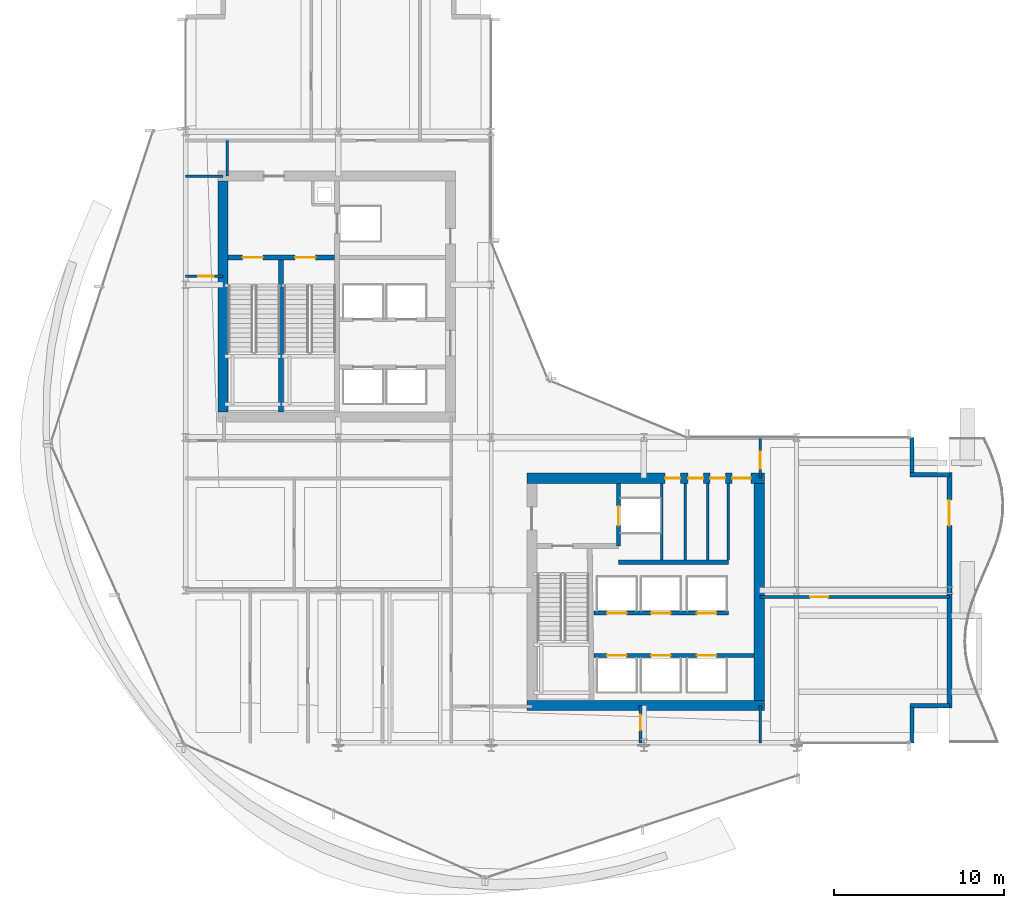
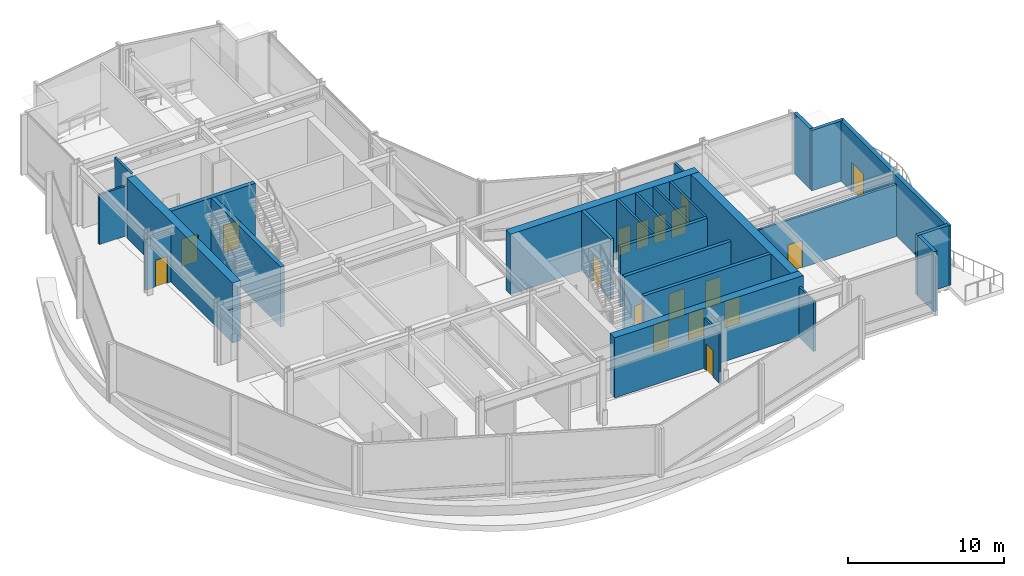
# One storey, part 25 of 33: 26 walls, 18 doors, 18 openings.
"""IFC4 building model written with IfcOpenShell, lengths in metres."""

from ifc_helpers import new_model, si_unit, direction, frame, frame_2d, origin, place, context, subcontext, project, spatial, rectangle, extrude, material, layer, layer_set, type_object, element, fill, save


model = new_model("IFC4")

# Units and contexts
model_context = context("Model", 3, precision=1e-05, world=origin(), true_north=direction((0.0, 1.0)))
body_context = subcontext(model_context, "Body", "Model", "MODEL_VIEW")
ifc_project = project(units=[si_unit("LENGTHUNIT", "METRE"), si_unit("AREAUNIT", "SQUARE_METRE"), si_unit("VOLUMEUNIT", "CUBIC_METRE"), si_unit("PLANEANGLEUNIT", "RADIAN"), si_unit("MASSUNIT", "GRAM", prefix="KILO")], contexts=[model_context])

# Site, building, storey
site_placement = place(None, origin())
site = spatial("IfcSite", under=ifc_project, at=site_placement, CompositionType="ELEMENT")
building_placement = place(site_placement, origin())
building = spatial("IfcBuilding", under=site, at=building_placement, Name="Solvaryn Broadcast Tower", CompositionType="ELEMENT")
storey_placement = place(building_placement, frame((0.0, 0.0, 105.0)))
storey = spatial("IfcBuildingStorey", under=building, at=storey_placement, Name="L25", CompositionType="ELEMENT", Elevation=105.0)

# Walls
ifc_material_1 = material(Name="Concrete f'c 70 MPa", Category="concrete")
ifc_layer_1 = layer(ifc_material_1, 0.60009765625)
ifc_layer_set_1 = layer_set([ifc_layer_1], Name="CW-SHEAR-600")
wall_type_1 = type_object("IfcWallType", Name="CW-SHEAR-600", PredefinedType="SHEAR", material=ifc_layer_set_1)
wall_1_placement = place(storey_placement, frame((11.199951171875, 42.10009765625, 0.0), z_axis=(0.0, 0.0, 1.0), x_axis=(0.0, -1.0, 0.0)))
element("IfcWall", 1, at=wall_1_placement, inside=storey, type_object=wall_type_1, Name="L25 West Core West Shear Wall", PredefinedType="SHEAR", context=body_context, shape_type="SweptSolid", body=[
    extrude(rectangle(XDim=13.60009765625, YDim=0.60009765625, at=frame_2d((6.800048828125, 0.0))), origin(), (0.0, 0.0, 1.0), 4.719970703125),
])
wall_2_placement = place(storey_placement, frame((29.10009765625, 11.199951171875, 0.0), z_axis=(0.0, 0.0, 1.0), x_axis=(1.0, 0.0, 0.0)))
element("IfcWall", 2, at=wall_2_placement, inside=storey, type_object=wall_type_1, Name="L25 East Core South Shear Wall", PredefinedType="SHEAR", context=body_context, shape_type="SweptSolid", body=[
    extrude(rectangle(XDim=14.0, YDim=0.60009765625, at=frame_2d((7.0, 0.0))), origin(), (0.0, 0.0, 1.0), 4.719970703125),
])

# Wall, openings, doors
wall_3_placement = place(storey_placement, frame((43.10009765625, 24.60009765625, 0.0), z_axis=(0.0, 0.0, 1.0), x_axis=(-1.0, 0.0, 0.0)))
wall_3 = element("IfcWall", 3, at=wall_3_placement, inside=storey, type_object=wall_type_1, Name="L25 East Core North Shear Wall", PredefinedType="SHEAR", context=body_context, shape_type="SweptSolid", body=[
    extrude(rectangle(XDim=14.0, YDim=0.60009765625, at=frame_2d((7.0, 0.0))), origin(), (0.0, 0.0, 1.0), 4.719970703125),
])
opening_1_placement = place(wall_3_placement, frame((0.800048828125, 0.0, 0.0)))
opening_1 = element("IfcOpeningElement", 4, at=opening_1_placement, cuts=wall_3, Name="Opening FD90C", PredefinedType="OPENING", context=body_context, shape_type="SweptSolid", body=[
    extrude(rectangle(XDim=1.10009765625, YDim=2.14990234375, at=frame_2d((0.550048828125, 1.074951171875))), frame((0.0, 0.31005859375, 0.0), z_axis=(0.0, -1.0, 0.0), x_axis=(1.0, 0.0, 0.0)), (0.0, 0.0, 1.0), 0.6201171875),
])
opening_2_placement = place(wall_3_placement, frame((2.300048828125, 0.0, 0.0)))
opening_2 = element("IfcOpeningElement", 5, at=opening_2_placement, cuts=wall_3, Name="Opening FD60C", PredefinedType="OPENING", context=body_context, shape_type="SweptSolid", body=[
    extrude(rectangle(XDim=0.89990234375, YDim=2.10009765625, at=frame_2d((0.449951171875, 1.050048828125))), frame((0.0, 0.31005859375, 0.0), z_axis=(0.0, -1.0, 0.0), x_axis=(1.0, 0.0, 0.0)), (0.0, 0.0, 1.0), 0.6201171875),
])
opening_3_placement = place(wall_3_placement, frame((3.60009765625, 0.0, 0.0)))
opening_3 = element("IfcOpeningElement", 6, at=opening_3_placement, cuts=wall_3, Name="Opening FD60C", PredefinedType="OPENING", context=body_context, shape_type="SweptSolid", body=[
    extrude(rectangle(XDim=0.89990234375, YDim=2.10009765625, at=frame_2d((0.449951171875, 1.050048828125))), frame((0.0, 0.31005859375, 0.0), z_axis=(0.0, -1.0, 0.0), x_axis=(1.0, 0.0, 0.0)), (0.0, 0.0, 1.0), 0.6201171875),
])
opening_4_placement = place(wall_3_placement, frame((4.949951171875, 0.0, 0.0)))
opening_4 = element("IfcOpeningElement", 7, at=opening_4_placement, cuts=wall_3, Name="Opening FD60C", PredefinedType="OPENING", context=body_context, shape_type="SweptSolid", body=[
    extrude(rectangle(XDim=0.89990234375, YDim=2.10009765625, at=frame_2d((0.449951171875, 1.050048828125))), frame((0.0, 0.31005859375, 0.0), z_axis=(0.0, -1.0, 0.0), x_axis=(1.0, 0.0, 0.0)), (0.0, 0.0, 1.0), 0.6201171875),
])
ifc_material_2 = material(Name="Flush Acoustic Steel and Timber Door Assembly", Category="steel")
door_type_1 = type_object("IfcDoorType", Name="FD60-SERV-900X2100", OperationType="NOTDEFINED", PredefinedType="DOOR", material=ifc_material_2)
door_1_placement = place(opening_2_placement, origin())
door_1 = element("IfcDoor", 8, at=door_1_placement, inside=storey, type_object=door_type_1, Name="L25 Core Wellness Room Door", OperationType="SINGLE_SWING_RIGHT", OverallHeight=2.10009765625, OverallWidth=0.89990234375, PredefinedType="DOOR", context=body_context, shape_type="SweptSolid", body=[
    extrude(rectangle(XDim=0.89990234375, YDim=2.10009765625, at=frame_2d((0.449951171875, 1.050048828125))), frame((0.0, 0.02490234375, 0.0), z_axis=(0.0, -1.0, 0.0), x_axis=(1.0, 0.0, 0.0)), (0.0, 0.0, 1.0), 0.050048828125),
])
fill(opening_2, door_1)
door_2_placement = place(opening_3_placement, origin())
door_2 = element("IfcDoor", 9, at=door_2_placement, inside=storey, type_object=door_type_1, Name="L25 Staff Restroom Door", OperationType="SINGLE_SWING_LEFT", OverallHeight=2.10009765625, OverallWidth=0.89990234375, PredefinedType="DOOR", context=body_context, shape_type="SweptSolid", body=[
    extrude(rectangle(XDim=0.89990234375, YDim=2.10009765625, at=frame_2d((0.449951171875, 1.050048828125))), frame((0.0, 0.02490234375, 0.0), z_axis=(0.0, -1.0, 0.0), x_axis=(1.0, 0.0, 0.0)), (0.0, 0.0, 1.0), 0.050048828125),
])
fill(opening_3, door_2)
door_3_placement = place(opening_4_placement, origin())
door_3 = element("IfcDoor", 10, at=door_3_placement, inside=storey, type_object=door_type_1, Name="L25 Accessible WC Door", OperationType="SINGLE_SWING_RIGHT", OverallHeight=2.10009765625, OverallWidth=0.89990234375, PredefinedType="DOOR", context=body_context, shape_type="SweptSolid", body=[
    extrude(rectangle(XDim=0.89990234375, YDim=2.10009765625, at=frame_2d((0.449951171875, 1.050048828125))), frame((0.0, 0.02490234375, 0.0), z_axis=(0.0, -1.0, 0.0), x_axis=(1.0, 0.0, 0.0)), (0.0, 0.0, 1.0), 0.050048828125),
])
fill(opening_4, door_3)
ifc_material_3 = material(Name="Flush Acoustic Steel and Timber Door Assembly", Category="steel")
door_type_2 = type_object("IfcDoorType", Name="FD90-PLANT-1100X2150", OperationType="NOTDEFINED", PredefinedType="DOOR", material=ifc_material_3)
door_4_placement = place(opening_1_placement, origin())
door_4 = element("IfcDoor", 11, at=door_4_placement, inside=storey, type_object=door_type_2, Name="L25 East Core Lobby Corridor Door", OperationType="SINGLE_SWING_LEFT", OverallHeight=2.14990234375, OverallWidth=1.10009765625, PredefinedType="DOOR", context=body_context, shape_type="SweptSolid", body=[
    extrude(rectangle(XDim=1.10009765625, YDim=2.14990234375, at=frame_2d((0.550048828125, 1.074951171875))), frame((0.0, 0.02490234375, 0.0), z_axis=(0.0, -1.0, 0.0), x_axis=(1.0, 0.0, 0.0)), (0.0, 0.0, 1.0), 0.050048828125),
])
fill(opening_1, door_4)

# Walls
wall_4_placement = place(storey_placement, frame((42.800048828125, 11.5, 0.0), z_axis=(0.0, 0.0, 1.0), x_axis=(0.0, 1.0, 0.0)))
element("IfcWall", 12, at=wall_4_placement, inside=storey, type_object=wall_type_1, Name="L25 East Core East Shear Wall", PredefinedType="SHEAR", context=body_context, shape_type="SweptSolid", body=[
    extrude(rectangle(XDim=12.800048828125, YDim=0.60009765625, at=frame_2d((6.39990234375, 0.0))), origin(), (0.0, 0.0, 1.0), 4.719970703125),
])
ifc_material_4 = material(Name="Concrete f'c 50 MPa", Category="concrete")
ifc_layer_2 = layer(ifc_material_4, 0.260009765625)
ifc_layer_set_2 = layer_set([ifc_layer_2], Name="EW-PIER-260")
wall_type_2 = type_object("IfcWallType", Name="EW-PIER-260", PredefinedType="SOLIDWALL", material=ifc_layer_set_2)
wall_5_placement = place(storey_placement, frame((51.800048828125, 9.0, 0.0), z_axis=(0.0, 0.0, 1.0), x_axis=(0.0, 1.0, 0.0)))
element("IfcWall", 13, at=wall_5_placement, inside=storey, type_object=wall_type_2, Name="L25 Notched Corner Pier Wall NSE1", PredefinedType="SOLIDWALL", context=body_context, shape_type="SweptSolid", body=[
    extrude(rectangle(XDim=2.080078125, YDim=0.260009765625, at=frame_2d((1.0400390625, 0.0))), origin(), (0.0, 0.0, 1.0), 4.719970703125),
])
for number, where, z_axis, x_axis, name in (
    (14, (51.679931640625, 11.199951171875, 0.0), (0.0, 0.0, 1.0), (1.0, 0.0, 0.0), "L25 Notched Corner Pier Wall NSE2"),
    (15, (54.0, 24.800048828125, 0.0), (0.0, 0.0, 1.0), (-1.0, 0.0, 0.0), "L25 Notched Corner Pier Wall NEE1"),
):
    element("IfcWall", number, at=place(storey_placement, frame(where, z_axis=z_axis, x_axis=x_axis)), inside=storey, type_object=wall_type_2, Name=name, PredefinedType="SOLIDWALL", context=body_context, shape_type="SweptSolid", body=[
        extrude(rectangle(XDim=2.320068359375, YDim=0.260009765625, at=frame_2d((1.16015625, 0.0))), origin(), (0.0, 0.0, 1.0), 4.719970703125),
    ])
wall_6_placement = place(storey_placement, frame((51.800048828125, 24.919921875, 0.0), z_axis=(0.0, 0.0, 1.0), x_axis=(0.0, 1.0, 0.0)))
element("IfcWall", 16, at=wall_6_placement, inside=storey, type_object=wall_type_2, Name="L25 Notched Corner Pier Wall NEE2", PredefinedType="SOLIDWALL", context=body_context, shape_type="SweptSolid", body=[
    extrude(rectangle(XDim=2.080078125, YDim=0.260009765625, at=frame_2d((1.0400390625, 0.0))), origin(), (0.0, 0.0, 1.0), 4.719970703125),
])

# Wall, opening, door
ifc_material_5 = material(Name="Concrete f'c 50 MPa", Category="concrete")
ifc_layer_3 = layer(ifc_material_5, 0.300048828125)
ifc_layer_set_3 = layer_set([ifc_layer_3], Name="EW-TER-300")
wall_type_3 = type_object("IfcWallType", Name="EW-TER-300", PredefinedType="SOLIDWALL", material=ifc_layer_set_3)
wall_7_placement = place(storey_placement, frame((54.0, 24.929931640625, 0.0), z_axis=(0.0, 0.0, 1.0), x_axis=(0.0, -1.0, 0.0)))
wall_7 = element("IfcWall", 17, at=wall_7_placement, inside=storey, type_object=wall_type_3, Name="L25 East Sky-Garden Wall", PredefinedType="SOLIDWALL", context=body_context, shape_type="SweptSolid", body=[
    extrude(rectangle(XDim=13.85986328125, YDim=0.300048828125, at=frame_2d((6.929931640625, 0.0))), origin(), (0.0, 0.0, 1.0), 4.719970703125),
])
opening_5_placement = place(wall_7_placement, frame((1.6298828125, 0.0, 0.0)))
opening_5 = element("IfcOpeningElement", 18, at=opening_5_placement, cuts=wall_7, Name="Opening EDS25", PredefinedType="OPENING", context=body_context, shape_type="SweptSolid", body=[
    extrude(rectangle(XDim=1.5, YDim=2.300048828125, at=frame_2d((0.75, 1.14990234375))), frame((0.0, 0.159912109375, 0.0), z_axis=(0.0, -1.0, 0.0), x_axis=(1.0, 0.0, 0.0)), (0.0, 0.0, 1.0), 0.320068359375),
])
ifc_material_6 = material(Name="Insulated Architectural Aluminium and Glazing", Category="aluminium")
door_type_3 = type_object("IfcDoorType", Name="ED-SKYG-1500X2300", OperationType="NOTDEFINED", PredefinedType="DOOR", material=ifc_material_6)
door_5_placement = place(opening_5_placement, origin())
door_5 = element("IfcDoor", 19, at=door_5_placement, inside=storey, type_object=door_type_3, Name="L25 East Sky-Garden Terrace Door", OperationType="SINGLE_SWING_RIGHT", OverallHeight=2.300048828125, OverallWidth=1.5, PredefinedType="DOOR", context=body_context, shape_type="SweptSolid", body=[
    extrude(rectangle(XDim=1.5, YDim=2.300048828125, at=frame_2d((0.75, 1.14990234375))), frame((0.0, 0.02490234375, 0.0), z_axis=(0.0, -1.0, 0.0), x_axis=(1.0, 0.0, 0.0)), (0.0, 0.0, 1.0), 0.050048828125),
])
fill(opening_5, door_5)

# Walls
ifc_material_7 = material(Name="Metal-Stud Service Core Partition")
ifc_layer_4 = layer(ifc_material_7, 0.14990234375)
ifc_layer_set_4 = layer_set([ifc_layer_4], Name="IW-PART-150")
wall_type_4 = type_object("IfcWallType", Name="IW-PART-150", PredefinedType="PARTITIONING", material=ifc_layer_set_4)
for number, where, z_axis, x_axis, name in (
    (20, (37.050048828125, 19.780029296875, 0.0), (0.0, 0.0, 1.0), (0.0, 1.0, 0.0), "L25 Interior Partition IW-L25-CE-FL2E"),
    (21, (38.43994140625, 19.780029296875, 0.0), (0.0, 0.0, 1.0), (0.0, 1.0, 0.0), "L25 Interior Partition IW-L25-CE-V1"),
    (22, (39.77001953125, 19.780029296875, 0.0), (0.0, 0.0, 1.0), (0.0, 1.0, 0.0), "L25 Interior Partition IW-L25-CE-V2"),
    (23, (40.97998046875, 19.780029296875, 0.0), (0.0, 0.0, 1.0), (0.0, 1.0, 0.0), "L25 Interior Partition IW-L25-CE-V3"),
):
    element("IfcWall", number, at=place(storey_placement, frame(where, z_axis=z_axis, x_axis=x_axis)), inside=storey, type_object=wall_type_4, Name=name, PredefinedType="PARTITIONING", context=body_context, shape_type="SweptSolid", body=[
        extrude(rectangle(XDim=4.52001953125, YDim=0.14990234375, at=frame_2d((2.260009765625, 0.0))), origin(), (0.0, 0.0, 1.0), 4.719970703125),
    ])

# Wall, opening, door
wall_8_placement = place(storey_placement, frame((9.0, 36.5, 0.0), z_axis=(0.0, 0.0, 1.0), x_axis=(1.0, 0.0, 0.0)))
wall_8 = element("IfcWall", 24, at=wall_8_placement, inside=storey, type_object=wall_type_4, Name="L25 Interior Partition IW-L25-WM-M", PredefinedType="PARTITIONING", context=body_context, shape_type="SweptSolid", body=[
    extrude(rectangle(XDim=2.199951171875, YDim=0.14990234375, at=frame_2d((1.10009765625, 0.0))), origin(), (0.0, 0.0, 1.0), 3.93408203125),
])
opening_6_placement = place(wall_8_placement, frame((0.75, 0.0, 0.0)))
opening_6 = element("IfcOpeningElement", 25, at=opening_6_placement, cuts=wall_8, Name="Opening FD60C", PredefinedType="OPENING", context=body_context, shape_type="SweptSolid", body=[
    extrude(rectangle(XDim=0.89990234375, YDim=2.10009765625, at=frame_2d((0.449951171875, 1.050048828125))), frame((0.0, 0.0849609375, 0.0), z_axis=(0.0, -1.0, 0.0), x_axis=(1.0, 0.0, 0.0)), (0.0, 0.0, 1.0), 0.169921875),
])
door_6_placement = place(opening_6_placement, origin())
door_6 = element("IfcDoor", 26, at=door_6_placement, inside=storey, type_object=door_type_1, Name="L25 Door DR-L25-WM1", OperationType="SINGLE_SWING_RIGHT", OverallHeight=2.10009765625, OverallWidth=0.89990234375, PredefinedType="DOOR", context=body_context, shape_type="SweptSolid", body=[
    extrude(rectangle(XDim=0.89990234375, YDim=2.10009765625, at=frame_2d((0.449951171875, 1.050048828125))), frame((0.0, 0.02490234375, 0.0), z_axis=(0.0, -1.0, 0.0), x_axis=(1.0, 0.0, 0.0)), (0.0, 0.0, 1.0), 0.050048828125),
])
fill(opening_6, door_6)

wall_9_placement = place(storey_placement, frame((35.800048828125, 9.0, 0.0), z_axis=(0.0, 0.0, 1.0), x_axis=(0.0, 1.0, 0.0)))
wall_9 = element("IfcWall", 27, at=wall_9_placement, inside=storey, type_object=wall_type_4, Name="L25 Interior Partition IW-L25-SC-V", PredefinedType="PARTITIONING", context=body_context, shape_type="SweptSolid", body=[
    extrude(rectangle(XDim=2.199951171875, YDim=0.14990234375, at=frame_2d((1.10009765625, 0.0))), origin(), (0.0, 0.0, 1.0), 3.93408203125),
])
opening_7_placement = place(wall_9_placement, frame((0.75, 0.0, 0.0)))
opening_7 = element("IfcOpeningElement", 28, at=opening_7_placement, cuts=wall_9, Name="Opening FD60C", PredefinedType="OPENING", context=body_context, shape_type="SweptSolid", body=[
    extrude(rectangle(XDim=0.89990234375, YDim=2.10009765625, at=frame_2d((0.449951171875, 1.050048828125))), frame((0.0, 0.0849609375, 0.0), z_axis=(0.0, -1.0, 0.0), x_axis=(1.0, 0.0, 0.0)), (0.0, 0.0, 1.0), 0.169921875),
])
door_7_placement = place(opening_7_placement, origin())
door_7 = element("IfcDoor", 29, at=door_7_placement, inside=storey, type_object=door_type_1, Name="L25 Door DR-L25-SC1", OperationType="SINGLE_SWING_RIGHT", OverallHeight=2.10009765625, OverallWidth=0.89990234375, PredefinedType="DOOR", context=body_context, shape_type="SweptSolid", body=[
    extrude(rectangle(XDim=0.89990234375, YDim=2.10009765625, at=frame_2d((0.449951171875, 1.050048828125))), frame((0.0, 0.02490234375, 0.0), z_axis=(0.0, -1.0, 0.0), x_axis=(1.0, 0.0, 0.0)), (0.0, 0.0, 1.0), 0.050048828125),
])
fill(opening_7, door_7)

# Walls
ifc_material_8 = material(Name="Metal-Stud Gypsum Office Partition")
ifc_layer_5 = layer(ifc_material_8, 0.159912109375)
ifc_layer_set_5 = layer_set([ifc_layer_5], Name="IW-PART-160")
wall_type_5 = type_object("IfcWallType", Name="IW-PART-160", PredefinedType="PARTITIONING", material=ifc_layer_set_5)
wall_10_placement = place(storey_placement, frame((9.0, 42.39990234375, 0.0), z_axis=(0.0, 0.0, 1.0), x_axis=(1.0, 0.0, 0.0)))
element("IfcWall", 30, at=wall_10_placement, inside=storey, type_object=wall_type_5, Name="L25 Interior Partition IW-L25-WM-N", PredefinedType="PARTITIONING", context=body_context, shape_type="SweptSolid", body=[
    extrude(rectangle(XDim=2.199951171875, YDim=0.159912109375, at=frame_2d((1.10009765625, 0.0))), origin(), (0.0, 0.0, 1.0), 3.93408203125),
])
wall_11_placement = place(storey_placement, frame((11.449951171875, 42.39990234375, 0.0), z_axis=(0.0, 0.0, 1.0), x_axis=(0.0, 1.0, 0.0)))
element("IfcWall", 31, at=wall_11_placement, inside=storey, type_object=wall_type_5, Name="L25 Interior Partition IW-L25-WM-E", PredefinedType="PARTITIONING", context=body_context, shape_type="SweptSolid", body=[
    extrude(rectangle(XDim=2.10009765625, YDim=0.159912109375, at=frame_2d((1.050048828125, 0.0))), origin(), (0.0, 0.0, 1.0), 4.719970703125),
])
wall_12_placement = place(storey_placement, frame((42.85009765625, 9.0, 0.0), z_axis=(0.0, 0.0, 1.0), x_axis=(0.0, 1.0, 0.0)))
element("IfcWall", 32, at=wall_12_placement, inside=storey, type_object=wall_type_5, Name="L25 Interior Partition IW-L25-SC-E", PredefinedType="PARTITIONING", context=body_context, shape_type="SweptSolid", body=[
    extrude(rectangle(XDim=2.199951171875, YDim=0.159912109375, at=frame_2d((1.10009765625, 0.0))), origin(), (0.0, 0.0, 1.0), 3.93408203125),
])

# Wall, opening, door
wall_13_placement = place(storey_placement, frame((42.85009765625, 24.60009765625, 0.0), z_axis=(0.0, 0.0, 1.0), x_axis=(0.0, 1.0, 0.0)))
wall_13 = element("IfcWall", 33, at=wall_13_placement, inside=storey, type_object=wall_type_5, Name="L25 Interior Partition IW-L25-EW-BN", PredefinedType="PARTITIONING", context=body_context, shape_type="SweptSolid", body=[
    extrude(rectangle(XDim=2.39990234375, YDim=0.159912109375, at=frame_2d((1.199951171875, 0.0))), origin(), (0.0, 0.0, 1.0), 3.93408203125),
])
opening_8_placement = place(wall_13_placement, frame((0.550048828125, 0.0, 0.0)))
opening_8 = element("IfcOpeningElement", 34, at=opening_8_placement, cuts=wall_13, Name="Opening ID02", PredefinedType="OPENING", context=body_context, shape_type="SweptSolid", body=[
    extrude(rectangle(XDim=1.0, YDim=2.10009765625, at=frame_2d((0.5, 1.050048828125))), frame((0.0, 0.090087890625, 0.0), z_axis=(0.0, -1.0, 0.0), x_axis=(1.0, 0.0, 0.0)), (0.0, 0.0, 1.0), 0.179931640625),
])
ifc_material_9 = material(Name="Flush Acoustic Steel and Timber Door Assembly", Category="steel")
door_type_4 = type_object("IfcDoorType", Name="ID-02-1000X2100", OperationType="NOTDEFINED", PredefinedType="DOOR", material=ifc_material_9)
door_8_placement = place(opening_8_placement, origin())
door_8 = element("IfcDoor", 35, at=door_8_placement, inside=storey, type_object=door_type_4, Name="L25 Door DR-L25-EW0", OperationType="SINGLE_SWING_LEFT", OverallHeight=2.10009765625, OverallWidth=1.0, PredefinedType="DOOR", context=body_context, shape_type="SweptSolid", body=[
    extrude(rectangle(XDim=1.0, YDim=2.10009765625, at=frame_2d((0.5, 1.050048828125))), frame((0.0, 0.02490234375, 0.0), z_axis=(0.0, -1.0, 0.0), x_axis=(1.0, 0.0, 0.0)), (0.0, 0.0, 1.0), 0.050048828125),
])
fill(opening_8, door_8)

wall_14_placement = place(storey_placement, frame((42.85009765625, 17.60009765625, 0.0), z_axis=(0.0, 0.0, 1.0), x_axis=(1.0, 0.0, 0.0)))
wall_14 = element("IfcWall", 36, at=wall_14_placement, inside=storey, type_object=wall_type_5, Name="L25 Interior Partition IW-L25-EW-H1", PredefinedType="PARTITIONING", context=body_context, shape_type="SweptSolid", body=[
    extrude(rectangle(XDim=11.14990234375, YDim=0.159912109375, at=frame_2d((5.574951171875, 0.0))), origin(), (0.0, 0.0, 1.0), 4.092041015625),
])
opening_9_placement = place(wall_14_placement, frame((2.949951171875, 0.0, 0.0)))
opening_9 = element("IfcOpeningElement", 37, at=opening_9_placement, cuts=wall_14, Name="Opening ID03", PredefinedType="OPENING", context=body_context, shape_type="SweptSolid", body=[
    extrude(rectangle(XDim=1.050048828125, YDim=2.14990234375, at=frame_2d((0.52490234375, 1.074951171875))), frame((0.0, 0.090087890625, 0.0), z_axis=(0.0, -1.0, 0.0), x_axis=(1.0, 0.0, 0.0)), (0.0, 0.0, 1.0), 0.179931640625),
])
ifc_material_10 = material(Name="Flush Acoustic Steel and Timber Door Assembly", Category="steel")
door_type_5 = type_object("IfcDoorType", Name="ID-03-1050X2150", OperationType="NOTDEFINED", PredefinedType="DOOR", material=ifc_material_10)
door_9_placement = place(opening_9_placement, origin())
door_9 = element("IfcDoor", 38, at=door_9_placement, inside=storey, type_object=door_type_5, Name="L25 Door DR-L25-EW-1", OperationType="SINGLE_SWING_RIGHT", OverallHeight=2.14990234375, OverallWidth=1.050048828125, PredefinedType="DOOR", context=body_context, shape_type="SweptSolid", body=[
    extrude(rectangle(XDim=1.050048828125, YDim=2.14990234375, at=frame_2d((0.52490234375, 1.074951171875))), frame((0.0, 0.02490234375, 0.0), z_axis=(0.0, -1.0, 0.0), x_axis=(1.0, 0.0, 0.0)), (0.0, 0.0, 1.0), 0.050048828125),
])
fill(opening_9, door_9)

ifc_material_11 = material(Name="Concrete f'c 60 MPa", Category="concrete")
ifc_layer_6 = layer(ifc_material_11, 0.25)
ifc_layer_set_6 = layer_set([ifc_layer_6], Name="SW-SHAFT-250")
wall_type_6 = type_object("IfcWallType", Name="SW-SHAFT-250", PredefinedType="PARTITIONING", material=ifc_layer_set_6)
wall_15_placement = place(storey_placement, frame((34.5, 20.60009765625, 0.0), z_axis=(0.0, 0.0, 1.0), x_axis=(0.0, 1.0, 0.0)))
wall_15 = element("IfcWall", 39, at=wall_15_placement, inside=storey, type_object=wall_type_6, Name="L25 East FSAE Lobby East Wall", PredefinedType="PARTITIONING", context=body_context, shape_type="SweptSolid", body=[
    extrude(rectangle(XDim=3.699951171875, YDim=0.25, at=frame_2d((1.85009765625, 0.0))), origin(), (0.0, 0.0, 1.0), 4.719970703125),
])
opening_10_placement = place(wall_15_placement, frame((1.199951171875, 0.0, 0.0)))
opening_10 = element("IfcOpeningElement", 40, at=opening_10_placement, cuts=wall_15, Name="Opening LD01", PredefinedType="OPENING", context=body_context, shape_type="SweptSolid", body=[
    extrude(rectangle(XDim=1.14990234375, YDim=2.14990234375, at=frame_2d((0.574951171875, 1.074951171875))), frame((0.0, 0.135009765625, 0.0), z_axis=(0.0, -1.0, 0.0), x_axis=(1.0, 0.0, 0.0)), (0.0, 0.0, 1.0), 0.27001953125),
])
ifc_material_12 = material(Name="Flush Acoustic Steel and Timber Door Assembly", Category="steel")
door_type_6 = type_object("IfcDoorType", Name="LD-LIFT-1150X2150", OperationType="NOTDEFINED", PredefinedType="DOOR", material=ifc_material_12)
door_10_placement = place(opening_10_placement, origin())
door_10 = element("IfcDoor", 41, at=door_10_placement, inside=storey, type_object=door_type_6, Name="L25 FL2 Lift Landing Door", OperationType="DOUBLE_DOOR_SLIDING", OverallHeight=2.14990234375, OverallWidth=1.14990234375, PredefinedType="DOOR", context=body_context, shape_type="SweptSolid", body=[
    extrude(rectangle(XDim=1.14990234375, YDim=2.14990234375, at=frame_2d((0.574951171875, 1.074951171875))), frame((0.0, 0.02490234375, 0.0), z_axis=(0.0, -1.0, 0.0), x_axis=(1.0, 0.0, 0.0)), (0.0, 0.0, 1.0), 0.050048828125),
])
fill(opening_10, door_10)

# Wall
wall_16_placement = place(storey_placement, frame((34.5, 19.64990234375, 0.0), z_axis=(0.0, 0.0, 1.0), x_axis=(1.0, 0.0, 0.0)))
element("IfcWall", 42, at=wall_16_placement, inside=storey, type_object=wall_type_6, Name="L25 East Core Restroom South Wall", PredefinedType="PARTITIONING", context=body_context, shape_type="SweptSolid", body=[
    extrude(rectangle(XDim=6.47998046875, YDim=0.25, at=frame_2d((3.239990234375, 0.0))), origin(), (0.0, 0.0, 1.0), 4.719970703125),
])

# Wall, openings, doors
wall_17_placement = place(storey_placement, frame((33.070068359375, 14.14990234375, 0.0), z_axis=(0.0, 0.0, 1.0), x_axis=(1.0, 0.0, 0.0)))
wall_17 = element("IfcWall", 43, at=wall_17_placement, inside=storey, type_object=wall_type_6, Name="L25 East Lift Bank South Wall", PredefinedType="PARTITIONING", context=body_context, shape_type="SweptSolid", body=[
    extrude(rectangle(XDim=9.429931640625, YDim=0.25, at=frame_2d((4.71484375, 0.0))), origin(), (0.0, 0.0, 1.0), 4.719970703125),
])
opening_11_placement = place(wall_17_placement, frame((0.7548828125, 0.0, 0.0)))
opening_11 = element("IfcOpeningElement", 44, at=opening_11_placement, cuts=wall_17, Name="Opening LD01", PredefinedType="OPENING", context=body_context, shape_type="SweptSolid", body=[
    extrude(rectangle(XDim=1.14990234375, YDim=2.14990234375, at=frame_2d((0.574951171875, 1.074951171875))), frame((0.0, 0.135009765625, 0.0), z_axis=(0.0, -1.0, 0.0), x_axis=(1.0, 0.0, 0.0)), (0.0, 0.0, 1.0), 0.27001953125),
])
opening_12_placement = place(wall_17_placement, frame((3.35498046875, 0.0, 0.0)))
opening_12 = element("IfcOpeningElement", 45, at=opening_12_placement, cuts=wall_17, Name="Opening LD01", PredefinedType="OPENING", context=body_context, shape_type="SweptSolid", body=[
    extrude(rectangle(XDim=1.14990234375, YDim=2.14990234375, at=frame_2d((0.574951171875, 1.074951171875))), frame((0.0, 0.135009765625, 0.0), z_axis=(0.0, -1.0, 0.0), x_axis=(1.0, 0.0, 0.0)), (0.0, 0.0, 1.0), 0.27001953125),
])
opening_13_placement = place(wall_17_placement, frame((6.054931640625, 0.0, 0.0)))
opening_13 = element("IfcOpeningElement", 46, at=opening_13_placement, cuts=wall_17, Name="Opening LD01", PredefinedType="OPENING", context=body_context, shape_type="SweptSolid", body=[
    extrude(rectangle(XDim=1.14990234375, YDim=2.14990234375, at=frame_2d((0.574951171875, 1.074951171875))), frame((0.0, 0.135009765625, 0.0), z_axis=(0.0, -1.0, 0.0), x_axis=(1.0, 0.0, 0.0)), (0.0, 0.0, 1.0), 0.27001953125),
])
door_11_placement = place(opening_11_placement, origin())
door_11 = element("IfcDoor", 47, at=door_11_placement, inside=storey, type_object=door_type_6, Name="L25 PL1 Lift Landing Door", OperationType="DOUBLE_DOOR_SLIDING", OverallHeight=2.14990234375, OverallWidth=1.14990234375, PredefinedType="DOOR", context=body_context, shape_type="SweptSolid", body=[
    extrude(rectangle(XDim=1.14990234375, YDim=2.14990234375, at=frame_2d((0.574951171875, 1.074951171875))), frame((0.0, 0.02490234375, 0.0), z_axis=(0.0, -1.0, 0.0), x_axis=(1.0, 0.0, 0.0)), (0.0, 0.0, 1.0), 0.050048828125),
])
fill(opening_11, door_11)
door_12_placement = place(opening_12_placement, origin())
door_12 = element("IfcDoor", 48, at=door_12_placement, inside=storey, type_object=door_type_6, Name="L25 PL2 Lift Landing Door", OperationType="DOUBLE_DOOR_SLIDING", OverallHeight=2.14990234375, OverallWidth=1.14990234375, PredefinedType="DOOR", context=body_context, shape_type="SweptSolid", body=[
    extrude(rectangle(XDim=1.14990234375, YDim=2.14990234375, at=frame_2d((0.574951171875, 1.074951171875))), frame((0.0, 0.02490234375, 0.0), z_axis=(0.0, -1.0, 0.0), x_axis=(1.0, 0.0, 0.0)), (0.0, 0.0, 1.0), 0.050048828125),
])
fill(opening_12, door_12)
door_13_placement = place(opening_13_placement, origin())
door_13 = element("IfcDoor", 49, at=door_13_placement, inside=storey, type_object=door_type_6, Name="L25 PM1 Lift Landing Door", OperationType="DOUBLE_DOOR_SLIDING", OverallHeight=2.14990234375, OverallWidth=1.14990234375, PredefinedType="DOOR", context=body_context, shape_type="SweptSolid", body=[
    extrude(rectangle(XDim=1.14990234375, YDim=2.14990234375, at=frame_2d((0.574951171875, 1.074951171875))), frame((0.0, 0.02490234375, 0.0), z_axis=(0.0, -1.0, 0.0), x_axis=(1.0, 0.0, 0.0)), (0.0, 0.0, 1.0), 0.050048828125),
])
fill(opening_13, door_13)

wall_18_placement = place(storey_placement, frame((40.97998046875, 16.64990234375, 0.0), z_axis=(0.0, 0.0, 1.0), x_axis=(-1.0, 0.0, 0.0)))
wall_18 = element("IfcWall", 50, at=wall_18_placement, inside=storey, type_object=wall_type_6, Name="L25 East Lift Bank North Wall", PredefinedType="PARTITIONING", context=body_context, shape_type="SweptSolid", body=[
    extrude(rectangle(XDim=7.909912109375, YDim=0.25, at=frame_2d((3.955078125, 0.0))), origin(), (0.0, 0.0, 1.0), 4.719970703125),
])
opening_14_placement = place(wall_18_placement, frame((6.0048828125, 0.0, 0.0)))
opening_14 = element("IfcOpeningElement", 51, at=opening_14_placement, cuts=wall_18, Name="Opening LD01", PredefinedType="OPENING", context=body_context, shape_type="SweptSolid", body=[
    extrude(rectangle(XDim=1.14990234375, YDim=2.14990234375, at=frame_2d((0.574951171875, 1.074951171875))), frame((0.0, 0.135009765625, 0.0), z_axis=(0.0, -1.0, 0.0), x_axis=(1.0, 0.0, 0.0)), (0.0, 0.0, 1.0), 0.27001953125),
])
opening_15_placement = place(wall_18_placement, frame((3.405029296875, 0.0, 0.0)))
opening_15 = element("IfcOpeningElement", 52, at=opening_15_placement, cuts=wall_18, Name="Opening LD01", PredefinedType="OPENING", context=body_context, shape_type="SweptSolid", body=[
    extrude(rectangle(XDim=1.14990234375, YDim=2.14990234375, at=frame_2d((0.574951171875, 1.074951171875))), frame((0.0, 0.135009765625, 0.0), z_axis=(0.0, -1.0, 0.0), x_axis=(1.0, 0.0, 0.0)), (0.0, 0.0, 1.0), 0.27001953125),
])
opening_16_placement = place(wall_18_placement, frame((0.705078125, 0.0, 0.0)))
opening_16 = element("IfcOpeningElement", 53, at=opening_16_placement, cuts=wall_18, Name="Opening LD01", PredefinedType="OPENING", context=body_context, shape_type="SweptSolid", body=[
    extrude(rectangle(XDim=1.14990234375, YDim=2.14990234375, at=frame_2d((0.574951171875, 1.074951171875))), frame((0.0, 0.135009765625, 0.0), z_axis=(0.0, -1.0, 0.0), x_axis=(1.0, 0.0, 0.0)), (0.0, 0.0, 1.0), 0.27001953125),
])
door_14_placement = place(opening_14_placement, origin())
door_14 = element("IfcDoor", 54, at=door_14_placement, inside=storey, type_object=door_type_6, Name="L25 PL3 Lift Landing Door", OperationType="DOUBLE_DOOR_SLIDING", OverallHeight=2.14990234375, OverallWidth=1.14990234375, PredefinedType="DOOR", context=body_context, shape_type="SweptSolid", body=[
    extrude(rectangle(XDim=1.14990234375, YDim=2.14990234375, at=frame_2d((0.574951171875, 1.074951171875))), frame((0.0, 0.02490234375, 0.0), z_axis=(0.0, -1.0, 0.0), x_axis=(1.0, 0.0, 0.0)), (0.0, 0.0, 1.0), 0.050048828125),
])
fill(opening_14, door_14)
door_15_placement = place(opening_15_placement, origin())
door_15 = element("IfcDoor", 55, at=door_15_placement, inside=storey, type_object=door_type_6, Name="L25 PL4 Lift Landing Door", OperationType="DOUBLE_DOOR_SLIDING", OverallHeight=2.14990234375, OverallWidth=1.14990234375, PredefinedType="DOOR", context=body_context, shape_type="SweptSolid", body=[
    extrude(rectangle(XDim=1.14990234375, YDim=2.14990234375, at=frame_2d((0.574951171875, 1.074951171875))), frame((0.0, 0.02490234375, 0.0), z_axis=(0.0, -1.0, 0.0), x_axis=(1.0, 0.0, 0.0)), (0.0, 0.0, 1.0), 0.050048828125),
])
fill(opening_15, door_15)
door_16_placement = place(opening_16_placement, origin())
door_16 = element("IfcDoor", 56, at=door_16_placement, inside=storey, type_object=door_type_6, Name="L25 PM2 Lift Landing Door", OperationType="DOUBLE_DOOR_SLIDING", OverallHeight=2.14990234375, OverallWidth=1.14990234375, PredefinedType="DOOR", context=body_context, shape_type="SweptSolid", body=[
    extrude(rectangle(XDim=1.14990234375, YDim=2.14990234375, at=frame_2d((0.574951171875, 1.074951171875))), frame((0.0, 0.02490234375, 0.0), z_axis=(0.0, -1.0, 0.0), x_axis=(1.0, 0.0, 0.0)), (0.0, 0.0, 1.0), 0.050048828125),
])
fill(opening_16, door_16)

# Wall
ifc_material_13 = material(Name="Concrete f'c 70 MPa", Category="concrete")
ifc_layer_7 = layer(ifc_material_13, 0.300048828125)
ifc_layer_set_7 = layer_set([ifc_layer_7], Name="SW-SHAFT-300")
wall_type_7 = type_object("IfcWallType", Name="SW-SHAFT-300", PredefinedType="SHEAR", material=ifc_layer_set_7)
wall_19_placement = place(storey_placement, frame((14.6201171875, 28.5, 0.0), z_axis=(0.0, 0.0, 1.0), x_axis=(0.0, 1.0, 0.0)))
element("IfcWall", 57, at=wall_19_placement, inside=storey, type_object=wall_type_7, Name="L25 Stair 1-2 Dividing Wall", PredefinedType="SHEAR", context=body_context, shape_type="SweptSolid", body=[
    extrude(rectangle(XDim=8.949951171875, YDim=0.300048828125, at=frame_2d((4.47509765625, 0.0))), origin(), (0.0, 0.0, 1.0), 4.719970703125),
])

# Wall, openings, doors
wall_20_placement = place(storey_placement, frame((17.77001953125, 37.60009765625, 0.0), z_axis=(0.0, 0.0, 1.0), x_axis=(-1.0, 0.0, 0.0)))
wall_20 = element("IfcWall", 58, at=wall_20_placement, inside=storey, type_object=wall_type_7, Name="L25 West Core FSAE Lobby South Wall", PredefinedType="SHEAR", context=body_context, shape_type="SweptSolid", body=[
    extrude(rectangle(XDim=6.27001953125, YDim=0.300048828125, at=frame_2d((3.135009765625, 0.0))), origin(), (0.0, 0.0, 1.0), 4.719970703125),
])
opening_17_placement = place(wall_20_placement, frame((4.219970703125, 0.0, 0.0)))
opening_17 = element("IfcOpeningElement", 59, at=opening_17_placement, cuts=wall_20, Name="Opening FD90A", PredefinedType="OPENING", context=body_context, shape_type="SweptSolid", body=[
    extrude(rectangle(XDim=1.199951171875, YDim=2.14990234375, at=frame_2d((0.60009765625, 1.074951171875))), frame((0.0, 0.159912109375, 0.0), z_axis=(0.0, -1.0, 0.0), x_axis=(1.0, 0.0, 0.0)), (0.0, 0.0, 1.0), 0.320068359375),
])
opening_18_placement = place(wall_20_placement, frame((1.1201171875, 0.0, 0.0)))
opening_18 = element("IfcOpeningElement", 60, at=opening_18_placement, cuts=wall_20, Name="Opening FD90A", PredefinedType="OPENING", context=body_context, shape_type="SweptSolid", body=[
    extrude(rectangle(XDim=1.199951171875, YDim=2.14990234375, at=frame_2d((0.60009765625, 1.074951171875))), frame((0.0, 0.159912109375, 0.0), z_axis=(0.0, -1.0, 0.0), x_axis=(1.0, 0.0, 0.0)), (0.0, 0.0, 1.0), 0.320068359375),
])
ifc_material_14 = material(Name="Flush Acoustic Steel and Timber Door Assembly", Category="steel")
door_type_7 = type_object("IfcDoorType", Name="FD90-STAIR-1200X2150", OperationType="NOTDEFINED", PredefinedType="DOOR", material=ifc_material_14)
door_17_placement = place(opening_17_placement, origin())
door_17 = element("IfcDoor", 61, at=door_17_placement, inside=storey, type_object=door_type_7, Name="L25 Stair 1 Fire Door", OperationType="SINGLE_SWING_LEFT", OverallHeight=2.14990234375, OverallWidth=1.199951171875, PredefinedType="DOOR", context=body_context, shape_type="SweptSolid", body=[
    extrude(rectangle(XDim=1.199951171875, YDim=2.14990234375, at=frame_2d((0.60009765625, 1.074951171875))), frame((0.0, 0.02490234375, 0.0), z_axis=(0.0, -1.0, 0.0), x_axis=(1.0, 0.0, 0.0)), (0.0, 0.0, 1.0), 0.050048828125),
])
fill(opening_17, door_17)
door_18_placement = place(opening_18_placement, origin())
door_18 = element("IfcDoor", 62, at=door_18_placement, inside=storey, type_object=door_type_7, Name="L25 Stair 2 Fire Door", OperationType="SINGLE_SWING_RIGHT", OverallHeight=2.14990234375, OverallWidth=1.199951171875, PredefinedType="DOOR", context=body_context, shape_type="SweptSolid", body=[
    extrude(rectangle(XDim=1.199951171875, YDim=2.14990234375, at=frame_2d((0.60009765625, 1.074951171875))), frame((0.0, 0.02490234375, 0.0), z_axis=(0.0, -1.0, 0.0), x_axis=(1.0, 0.0, 0.0)), (0.0, 0.0, 1.0), 0.050048828125),
])
fill(opening_18, door_18)

save(model, "model.ifc")
